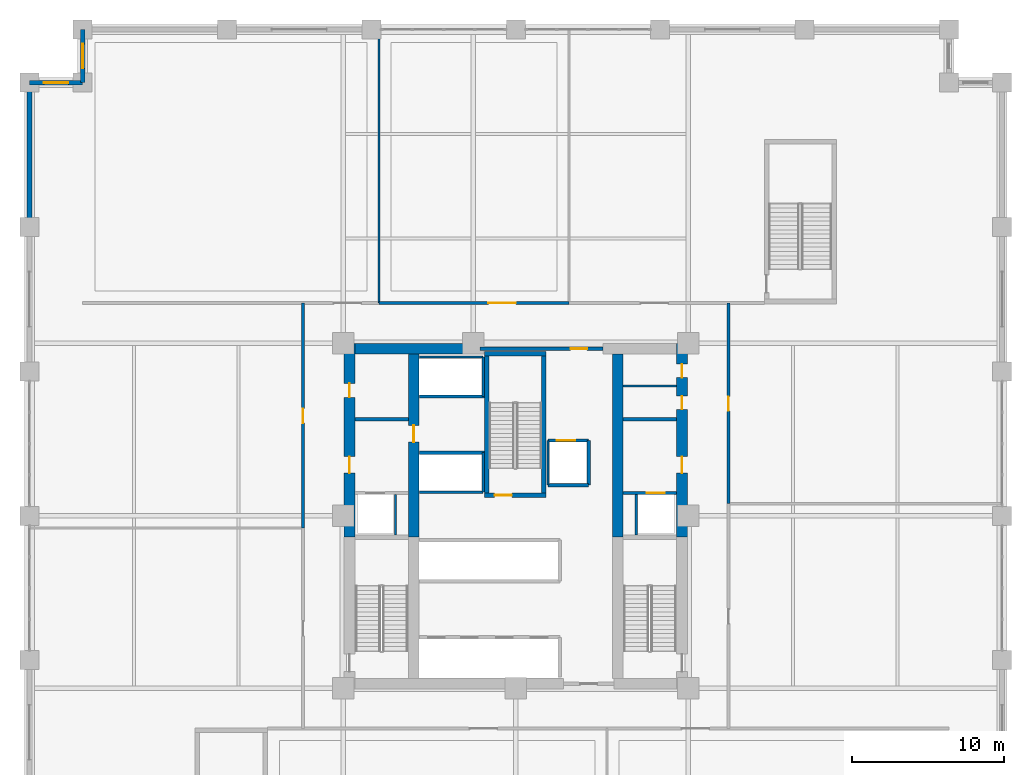
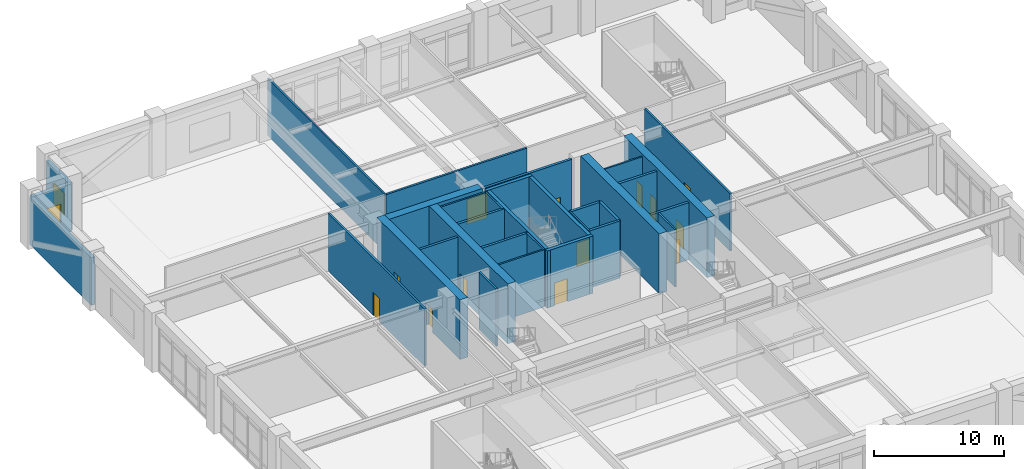
# One storey, part 13 of 21: 33 walls, 13 doors, 2 windows, 15 openings.
"""IFC4 building model written with IfcOpenShell, lengths in metres."""

from ifc_helpers import new_model, si_unit, direction, frame, frame_2d, origin, place, context, subcontext, project, spatial, rectangle, extrude, material, layer, layer_set, type_object, element, fill, save


model = new_model("IFC4")

# Units and contexts
model_context = context("Model", 3, precision=1e-05, world=origin(), true_north=direction((0.0, 1.0)))
body_context = subcontext(model_context, "Body", "Model", "MODEL_VIEW")
ifc_project = project(units=[si_unit("LENGTHUNIT", "METRE"), si_unit("AREAUNIT", "SQUARE_METRE"), si_unit("VOLUMEUNIT", "CUBIC_METRE"), si_unit("PLANEANGLEUNIT", "RADIAN"), si_unit("MASSUNIT", "GRAM", prefix="KILO")], contexts=[model_context])

# Site, building, storey
site_placement = place(None, origin())
site = spatial("IfcSite", under=ifc_project, at=site_placement, CompositionType="ELEMENT")
building_placement = place(site_placement, origin())
building = spatial("IfcBuilding", under=site, at=building_placement, Name="Nhamokura Convention Tower", CompositionType="ELEMENT")
storey_placement = place(building_placement, frame((0.0, 0.0, 6.64990234375)))
storey = spatial("IfcBuildingStorey", under=building, at=storey_placement, Name="L01", CompositionType="ELEMENT", Elevation=6.64990234375)

# Walls
ifc_material_1 = material(Name="Moisture-resistant tile-backer partition", Category="masonry")
ifc_layer_1 = layer(ifc_material_1, 0.139892578125)
ifc_layer_set_1 = layer_set([ifc_layer_1], Name="BathroomWetWall_140")
wall_type_1 = type_object("IfcWallType", Name="BathroomWetWall_140", PredefinedType="STANDARD", material=ifc_layer_set_1)
wall_1_placement = place(storey_placement, frame((39.06005859375, 40.550048828125, 0.0), z_axis=(0.0, 0.0, 1.0), x_axis=(1.0, 0.0, 0.0)))
element("IfcWall", 1, at=wall_1_placement, inside=storey, type_object=wall_type_1, Name="L01 Wall INT-L01-CWNE", PredefinedType="STANDARD", context=body_context, shape_type="SweptSolid", body=[
    extrude(rectangle(XDim=3.530029296875, YDim=0.139892578125, at=frame_2d((1.76513671875, 0.0))), origin(), (0.0, 0.0, 1.0), 5.360107421875),
])
ifc_material_2 = material(Name="Bronze-pigmented precast concrete C45/55", Category="concrete")
ifc_layer_2 = layer(ifc_material_2, 0.320068359375)
ifc_layer_set_2 = layer_set([ifc_layer_2], Name="BronzePrecastSpandrel_320")
wall_type_2 = type_object("IfcWallType", Name="BronzePrecastSpandrel_320", PredefinedType="USERDEFINED", material=ifc_layer_set_2)
wall_2_placement = place(storey_placement, frame((0.0, 51.0, 0.0), z_axis=(0.0, 0.0, 1.0), x_axis=(0.0, 1.0, 0.0)))
element("IfcWall", 2, at=wall_2_placement, inside=storey, type_object=wall_type_2, Name="L01 Braced-Bay Precast Wall WEST 5", ObjectType="SPANDREL_WALL", PredefinedType="USERDEFINED", context=body_context, shape_type="SweptSolid", body=[
    extrude(rectangle(XDim=9.5, YDim=0.320068359375, at=frame_2d((4.75, 0.0))), origin(), (0.0, 0.0, 1.0), 4.460205078125),
])

# Wall, opening, window
wall_3_placement = place(storey_placement, frame((3.5, 60.5, 0.0), z_axis=(0.0, 0.0, 1.0), x_axis=(0.0, 1.0, 0.0)))
wall_3 = element("IfcWall", 3, at=wall_3_placement, inside=storey, type_object=wall_type_2, Name="L01 Notched Corner Wall NW1", ObjectType="SPANDREL_WALL", PredefinedType="USERDEFINED", context=body_context, shape_type="SweptSolid", body=[
    extrude(rectangle(XDim=3.5, YDim=0.320068359375, at=frame_2d((1.75, 0.0))), origin(), (0.0, 0.0, 1.0), 4.460205078125),
])
opening_1_placement = place(wall_3_placement, frame((0.949951171875, 0.0, 0.85009765625)))
opening_1 = element("IfcOpeningElement", 4, at=opening_1_placement, cuts=wall_3, Name="Opening W-11", PredefinedType="OPENING", context=body_context, shape_type="SweptSolid", body=[
    extrude(rectangle(XDim=1.60009765625, YDim=2.050048828125, at=frame_2d((0.800048828125, 1.02490234375))), frame((0.0, 0.169921875, 0.0), z_axis=(0.0, -1.0, 0.0), x_axis=(1.0, 0.0, 0.0)), (0.0, 0.0, 1.0), 0.340087890625),
])
ifc_material_3 = material(Name="Solar-control bronze low-E double glass", Category="glass")
window_type = type_object("IfcWindowType", Name="NotchCornerWindow_1600", PartitioningType="SINGLE_PANEL", PredefinedType="WINDOW", material=ifc_material_3)
window_1_placement = place(opening_1_placement, origin())
window_1 = element("IfcWindow", 5, at=window_1_placement, inside=storey, type_object=window_type, Name="L01 Notched Corner Window NW1", OverallHeight=2.050048828125, OverallWidth=1.60009765625, PartitioningType="SINGLE_PANEL", PredefinedType="WINDOW", context=body_context, shape_type="SweptSolid", body=[
    extrude(rectangle(XDim=1.60009765625, YDim=2.050048828125, at=frame_2d((0.800048828125, 1.02490234375))), frame((0.0, 0.030029296875, 0.0), z_axis=(0.0, -1.0, 0.0), x_axis=(1.0, 0.0, 0.0)), (0.0, 0.0, 1.0), 0.06005859375),
])
fill(opening_1, window_1)

wall_4_placement = place(storey_placement, frame((0.0, 60.5, 0.0), z_axis=(0.0, 0.0, 1.0), x_axis=(1.0, 0.0, 0.0)))
wall_4 = element("IfcWall", 6, at=wall_4_placement, inside=storey, type_object=wall_type_2, Name="L01 Notched Corner Wall NW2", ObjectType="SPANDREL_WALL", PredefinedType="USERDEFINED", context=body_context, shape_type="SweptSolid", body=[
    extrude(rectangle(XDim=3.5, YDim=0.320068359375, at=frame_2d((1.75, 0.0))), origin(), (0.0, 0.0, 1.0), 4.460205078125),
])
opening_2_placement = place(wall_4_placement, frame((0.949951171875, 0.0, 0.85009765625)))
opening_2 = element("IfcOpeningElement", 7, at=opening_2_placement, cuts=wall_4, Name="Opening W-11", PredefinedType="OPENING", context=body_context, shape_type="SweptSolid", body=[
    extrude(rectangle(XDim=1.60009765625, YDim=2.050048828125, at=frame_2d((0.800048828125, 1.02490234375))), frame((0.0, 0.169921875, 0.0), z_axis=(0.0, -1.0, 0.0), x_axis=(1.0, 0.0, 0.0)), (0.0, 0.0, 1.0), 0.340087890625),
])
window_2_placement = place(opening_2_placement, origin())
window_2 = element("IfcWindow", 8, at=window_2_placement, inside=storey, type_object=window_type, Name="L01 Notched Corner Window NW2", OverallHeight=2.050048828125, OverallWidth=1.60009765625, PartitioningType="SINGLE_PANEL", PredefinedType="WINDOW", context=body_context, shape_type="SweptSolid", body=[
    extrude(rectangle(XDim=1.60009765625, YDim=2.050048828125, at=frame_2d((0.800048828125, 1.02490234375))), frame((0.0, 0.030029296875, 0.0), z_axis=(0.0, -1.0, 0.0), x_axis=(1.0, 0.0, 0.0)), (0.0, 0.0, 1.0), 0.06005859375),
])
fill(opening_2, window_2)

# Wall, openings, doors
ifc_material_4 = material(Name="Concrete C70/85", Category="concrete")
ifc_layer_3 = layer(ifc_material_4, 0.699951171875)
ifc_layer_set_3 = layer_set([ifc_layer_3], Name="CoreShearWall_700")
wall_type_3 = type_object("IfcWallType", Name="CoreShearWall_700", PredefinedType="SHEAR", material=ifc_layer_set_3)
wall_5_placement = place(storey_placement, frame((21.06005859375, 30.60009765625, 0.0), z_axis=(0.0, 0.0, 1.0), x_axis=(0.0, 1.0, 0.0)))
wall_5 = element("IfcWall", 9, at=wall_5_placement, inside=storey, type_object=wall_type_3, Name="L01 Core Shear Wall CW-WN", PredefinedType="SHEAR", context=body_context, shape_type="SweptSolid", body=[
    extrude(rectangle(XDim=12.75, YDim=0.699951171875, at=frame_2d((6.375, 0.0))), origin(), (0.0, 0.0, 1.0), 5.60009765625),
])
opening_3_placement = place(wall_5_placement, frame((4.199951171875, 0.0, 0.0)))
opening_3 = element("IfcOpeningElement", 10, at=opening_3_placement, cuts=wall_5, Name="Opening D-05", PredefinedType="OPENING", context=body_context, shape_type="SweptSolid", body=[
    extrude(rectangle(XDim=1.10009765625, YDim=2.14990234375, at=frame_2d((0.550048828125, 1.074951171875))), frame((0.0, 0.35986328125, 0.0), z_axis=(0.0, -1.0, 0.0), x_axis=(1.0, 0.0, 0.0)), (0.0, 0.0, 1.0), 0.719970703125),
])
opening_4_placement = place(wall_5_placement, frame((9.199951171875, 0.0, 0.0)))
opening_4 = element("IfcOpeningElement", 11, at=opening_4_placement, cuts=wall_5, Name="Opening D-10", PredefinedType="OPENING", context=body_context, shape_type="SweptSolid", body=[
    extrude(rectangle(XDim=0.919921875, YDim=2.10009765625, at=frame_2d((0.4599609375, 1.050048828125))), frame((0.0, 0.35986328125, 0.0), z_axis=(0.0, -1.0, 0.0), x_axis=(1.0, 0.0, 0.0)), (0.0, 0.0, 1.0), 0.719970703125),
])
ifc_material_5 = material(Name="Solid oak hardwood", Category="wood")
door_type_1 = type_object("IfcDoorType", Name="AccessibleWCDoor_920", OperationType="NOTDEFINED", PredefinedType="DOOR", material=ifc_material_5)
door_1_placement = place(opening_4_placement, origin())
door_1 = element("IfcDoor", 12, at=door_1_placement, inside=storey, type_object=door_type_1, Name="L01 Core Door INT-L01-D-AWC", OperationType="SINGLE_SWING_LEFT", OverallHeight=2.10009765625, OverallWidth=0.919921875, PredefinedType="DOOR", context=body_context, shape_type="SweptSolid", body=[
    extrude(rectangle(XDim=0.919921875, YDim=2.10009765625, at=frame_2d((0.4599609375, 1.050048828125))), frame((0.0, 0.02490234375, 0.0), z_axis=(0.0, -1.0, 0.0), x_axis=(1.0, 0.0, 0.0)), (0.0, 0.0, 1.0), 0.050048828125),
])
fill(opening_4, door_1)
ifc_material_6 = material(Name="Fire-rated steel door", Category="steel")
door_type_2 = type_object("IfcDoorType", Name="FireLobbyDoor_1100", OperationType="NOTDEFINED", PredefinedType="DOOR", material=ifc_material_6)
door_2_placement = place(opening_3_placement, origin())
door_2 = element("IfcDoor", 13, at=door_2_placement, inside=storey, type_object=door_type_2, Name="L01 Core Door INT-L01-D-FFLW", OperationType="SINGLE_SWING_RIGHT", OverallHeight=2.14990234375, OverallWidth=1.10009765625, PredefinedType="DOOR", context=body_context, shape_type="SweptSolid", body=[
    extrude(rectangle(XDim=1.10009765625, YDim=2.14990234375, at=frame_2d((0.550048828125, 1.074951171875))), frame((0.0, 0.02490234375, 0.0), z_axis=(0.0, -1.0, 0.0), x_axis=(1.0, 0.0, 0.0)), (0.0, 0.0, 1.0), 0.050048828125),
])
fill(opening_3, door_2)

wall_6_placement = place(storey_placement, frame((42.93994140625, 30.60009765625, 0.0), z_axis=(0.0, 0.0, 1.0), x_axis=(0.0, 1.0, 0.0)))
wall_6 = element("IfcWall", 14, at=wall_6_placement, inside=storey, type_object=wall_type_3, Name="L01 Core Shear Wall CW-EN", PredefinedType="SHEAR", context=body_context, shape_type="SweptSolid", body=[
    extrude(rectangle(XDim=12.75, YDim=0.699951171875, at=frame_2d((6.375, 0.0))), origin(), (0.0, 0.0, 1.0), 5.60009765625),
])
opening_5_placement = place(wall_6_placement, frame((4.199951171875, 0.0, 0.0)))
opening_5 = element("IfcOpeningElement", 15, at=opening_5_placement, cuts=wall_6, Name="Opening D-05", PredefinedType="OPENING", context=body_context, shape_type="SweptSolid", body=[
    extrude(rectangle(XDim=1.10009765625, YDim=2.14990234375, at=frame_2d((0.550048828125, 1.074951171875))), frame((0.0, 0.35986328125, 0.0), z_axis=(0.0, -1.0, 0.0), x_axis=(1.0, 0.0, 0.0)), (0.0, 0.0, 1.0), 0.719970703125),
])
opening_6_placement = place(wall_6_placement, frame((8.39990234375, 0.0, 0.0)))
opening_6 = element("IfcOpeningElement", 16, at=opening_6_placement, cuts=wall_6, Name="Opening D-11", PredefinedType="OPENING", context=body_context, shape_type="SweptSolid", body=[
    extrude(rectangle(XDim=0.8798828125, YDim=2.10009765625, at=frame_2d((0.43994140625, 1.050048828125))), frame((0.0, 0.35986328125, 0.0), z_axis=(0.0, -1.0, 0.0), x_axis=(1.0, 0.0, 0.0)), (0.0, 0.0, 1.0), 0.719970703125),
])
opening_7_placement = place(wall_6_placement, frame((10.5, 0.0, 0.0)))
opening_7 = element("IfcOpeningElement", 17, at=opening_7_placement, cuts=wall_6, Name="Opening D-11", PredefinedType="OPENING", context=body_context, shape_type="SweptSolid", body=[
    extrude(rectangle(XDim=0.8798828125, YDim=2.10009765625, at=frame_2d((0.43994140625, 1.050048828125))), frame((0.0, 0.35986328125, 0.0), z_axis=(0.0, -1.0, 0.0), x_axis=(1.0, 0.0, 0.0)), (0.0, 0.0, 1.0), 0.719970703125),
])
ifc_material_7 = material(Name="Solid oak hardwood", Category="wood")
door_type_3 = type_object("IfcDoorType", Name="BathroomDoor_880", OperationType="NOTDEFINED", PredefinedType="DOOR", material=ifc_material_7)
door_3_placement = place(opening_6_placement, origin())
door_3 = element("IfcDoor", 18, at=door_3_placement, inside=storey, type_object=door_type_3, Name="L01 Core Door INT-L01-D-MWC", OperationType="SINGLE_SWING_RIGHT", OverallHeight=2.10009765625, OverallWidth=0.8798828125, PredefinedType="DOOR", context=body_context, shape_type="SweptSolid", body=[
    extrude(rectangle(XDim=0.8798828125, YDim=2.10009765625, at=frame_2d((0.43994140625, 1.050048828125))), frame((0.0, 0.02490234375, 0.0), z_axis=(0.0, -1.0, 0.0), x_axis=(1.0, 0.0, 0.0)), (0.0, 0.0, 1.0), 0.050048828125),
])
fill(opening_6, door_3)
door_4_placement = place(opening_7_placement, origin())
door_4 = element("IfcDoor", 19, at=door_4_placement, inside=storey, type_object=door_type_3, Name="L01 Core Door INT-L01-D-FWC", OperationType="SINGLE_SWING_LEFT", OverallHeight=2.10009765625, OverallWidth=0.8798828125, PredefinedType="DOOR", context=body_context, shape_type="SweptSolid", body=[
    extrude(rectangle(XDim=0.8798828125, YDim=2.10009765625, at=frame_2d((0.43994140625, 1.050048828125))), frame((0.0, 0.02490234375, 0.0), z_axis=(0.0, -1.0, 0.0), x_axis=(1.0, 0.0, 0.0)), (0.0, 0.0, 1.0), 0.050048828125),
])
fill(opening_7, door_4)
door_5_placement = place(opening_5_placement, origin())
door_5 = element("IfcDoor", 20, at=door_5_placement, inside=storey, type_object=door_type_2, Name="L01 Core Door INT-L01-D-FFLE", OperationType="SINGLE_SWING_LEFT", OverallHeight=2.14990234375, OverallWidth=1.10009765625, PredefinedType="DOOR", context=body_context, shape_type="SweptSolid", body=[
    extrude(rectangle(XDim=1.10009765625, YDim=2.14990234375, at=frame_2d((0.550048828125, 1.074951171875))), frame((0.0, 0.02490234375, 0.0), z_axis=(0.0, -1.0, 0.0), x_axis=(1.0, 0.0, 0.0)), (0.0, 0.0, 1.0), 0.050048828125),
])
fill(opening_5, door_5)

# Wall
wall_7_placement = place(storey_placement, frame((21.409912109375, 43.0, 0.0), z_axis=(0.0, 0.0, 1.0), x_axis=(1.0, 0.0, 0.0)))
element("IfcWall", 21, at=wall_7_placement, inside=storey, type_object=wall_type_3, Name="L01 Core Shear Wall CW-N1", PredefinedType="SHEAR", context=body_context, shape_type="SweptSolid", body=[
    extrude(rectangle(XDim=8.239990234375, YDim=0.699951171875, at=frame_2d((4.1201171875, 0.0))), origin(), (0.0, 0.0, 1.0), 5.60009765625),
])

# Wall, opening, door
wall_8_placement = place(storey_placement, frame((25.2900390625, 30.60009765625, 0.0), z_axis=(0.0, 0.0, 1.0), x_axis=(0.0, 1.0, 0.0)))
wall_8 = element("IfcWall", 22, at=wall_8_placement, inside=storey, type_object=wall_type_3, Name="L01 Core Shear Wall CW-IWN", PredefinedType="SHEAR", context=body_context, shape_type="SweptSolid", body=[
    extrude(rectangle(XDim=12.0498046875, YDim=0.699951171875, at=frame_2d((6.02490234375, 0.0))), origin(), (0.0, 0.0, 1.0), 5.60009765625),
])
opening_8_placement = place(wall_8_placement, frame((6.25, 0.0, 0.0)))
opening_8 = element("IfcOpeningElement", 23, at=opening_8_placement, cuts=wall_8, Name="Opening D-05", PredefinedType="OPENING", context=body_context, shape_type="SweptSolid", body=[
    extrude(rectangle(XDim=1.10009765625, YDim=2.14990234375, at=frame_2d((0.550048828125, 1.074951171875))), frame((0.0, 0.35986328125, 0.0), z_axis=(0.0, -1.0, 0.0), x_axis=(1.0, 0.0, 0.0)), (0.0, 0.0, 1.0), 0.719970703125),
])
door_6_placement = place(opening_8_placement, origin())
door_6 = element("IfcDoor", 24, at=door_6_placement, inside=storey, type_object=door_type_2, Name="L01 Core Door INT-L01-D-B3LOB", OperationType="SINGLE_SWING_LEFT", OverallHeight=2.14990234375, OverallWidth=1.10009765625, PredefinedType="DOOR", context=body_context, shape_type="SweptSolid", body=[
    extrude(rectangle(XDim=1.10009765625, YDim=2.14990234375, at=frame_2d((0.550048828125, 1.074951171875))), frame((0.0, 0.02490234375, 0.0), z_axis=(0.0, -1.0, 0.0), x_axis=(1.0, 0.0, 0.0)), (0.0, 0.0, 1.0), 0.050048828125),
])
fill(opening_8, door_6)

# Wall
wall_9_placement = place(storey_placement, frame((38.7099609375, 30.60009765625, 0.0), z_axis=(0.0, 0.0, 1.0), x_axis=(0.0, 1.0, 0.0)))
element("IfcWall", 25, at=wall_9_placement, inside=storey, type_object=wall_type_3, Name="L01 Core Shear Wall CW-IEN", PredefinedType="SHEAR", context=body_context, shape_type="SweptSolid", body=[
    extrude(rectangle(XDim=12.0498046875, YDim=0.699951171875, at=frame_2d((6.02490234375, 0.0))), origin(), (0.0, 0.0, 1.0), 5.60009765625),
])

# Wall, opening, door
ifc_material_8 = material(Name="Fire-rated gypsum and masonry partition", Category="masonry")
ifc_layer_4 = layer(ifc_material_8, 0.179931640625)
ifc_layer_set_4 = layer_set([ifc_layer_4], Name="CorridorRatedWall_180")
wall_type_4 = type_object("IfcWallType", Name="CorridorRatedWall_180", PredefinedType="STANDARD", material=ifc_layer_set_4)
wall_10_placement = place(storey_placement, frame((23.0, 46.0, 0.0), z_axis=(0.0, 0.0, 1.0), x_axis=(1.0, 0.0, 0.0)))
wall_10 = element("IfcWall", 26, at=wall_10_placement, inside=storey, type_object=wall_type_4, Name="L01 Wall INT-L01-CW-N01", PredefinedType="STANDARD", context=body_context, shape_type="SweptSolid", body=[
    extrude(rectangle(XDim=12.5, YDim=0.179931640625, at=frame_2d((6.25, 0.0))), origin(), (0.0, 0.0, 1.0), 5.360107421875),
])
opening_9_placement = place(wall_10_placement, frame((7.199951171875, 0.0, 0.0)))
opening_9 = element("IfcOpeningElement", 27, at=opening_9_placement, cuts=wall_10, Name="Opening D-03", PredefinedType="OPENING", context=body_context, shape_type="SweptSolid", body=[
    extrude(rectangle(XDim=1.800048828125, YDim=2.35009765625, at=frame_2d((0.89990234375, 1.175048828125))), frame((0.0, 0.099853515625, 0.0), z_axis=(0.0, -1.0, 0.0), x_axis=(1.0, 0.0, 0.0)), (0.0, 0.0, 1.0), 0.199951171875),
])
ifc_material_9 = material(Name="Solid oak hardwood", Category="wood")
door_type_4 = type_object("IfcDoorType", Name="BallroomDoubleDoor_1800", OperationType="DOUBLE_DOOR_SINGLE_SWING", PredefinedType="DOOR", material=ifc_material_9)
door_7_placement = place(opening_9_placement, origin())
door_7 = element("IfcDoor", 28, at=door_7_placement, inside=storey, type_object=door_type_4, Name="L01 Pre-Function North Gallery N02 Door", OperationType="SINGLE_SWING_RIGHT", OverallHeight=2.35009765625, OverallWidth=1.800048828125, PredefinedType="DOOR", context=body_context, shape_type="SweptSolid", body=[
    extrude(rectangle(XDim=1.800048828125, YDim=2.35009765625, at=frame_2d((0.89990234375, 1.175048828125))), frame((0.0, 0.02490234375, 0.0), z_axis=(0.0, -1.0, 0.0), x_axis=(1.0, 0.0, 0.0)), (0.0, 0.0, 1.0), 0.050048828125),
])
fill(opening_9, door_7)

wall_11_placement = place(storey_placement, frame((18.0, 31.199951171875, 0.0), z_axis=(0.0, 0.0, 1.0), x_axis=(0.0, 1.0, 0.0)))
wall_11 = element("IfcWall", 29, at=wall_11_placement, inside=storey, type_object=wall_type_4, Name="L01 Wall INT-L01-CW-W01", PredefinedType="STANDARD", context=body_context, shape_type="SweptSolid", body=[
    extrude(rectangle(XDim=14.800048828125, YDim=0.179931640625, at=frame_2d((7.39990234375, 0.0))), origin(), (0.0, 0.0, 1.0), 5.360107421875),
])
opening_10_placement = place(wall_11_placement, frame((6.89990234375, 0.0, 0.0)))
opening_10 = element("IfcOpeningElement", 30, at=opening_10_placement, cuts=wall_11, Name="Opening D-09", PredefinedType="OPENING", context=body_context, shape_type="SweptSolid", body=[
    extrude(rectangle(XDim=0.949951171875, YDim=2.14990234375, at=frame_2d((0.47509765625, 1.074951171875))), frame((0.0, 0.099853515625, 0.0), z_axis=(0.0, -1.0, 0.0), x_axis=(1.0, 0.0, 0.0)), (0.0, 0.0, 1.0), 0.199951171875),
])
ifc_material_10 = material(Name="Solid oak hardwood", Category="wood")
door_type_5 = type_object("IfcDoorType", Name="MeetingRoomDoor_950", OperationType="NOTDEFINED", PredefinedType="DOOR", material=ifc_material_10)
door_8_placement = place(opening_10_placement, origin())
door_8 = element("IfcDoor", 31, at=door_8_placement, inside=storey, type_object=door_type_5, Name="L01 Meeting Room W02 Door", OperationType="SINGLE_SWING_RIGHT", OverallHeight=2.14990234375, OverallWidth=0.949951171875, PredefinedType="DOOR", context=body_context, shape_type="SweptSolid", body=[
    extrude(rectangle(XDim=0.949951171875, YDim=2.14990234375, at=frame_2d((0.47509765625, 1.074951171875))), frame((0.0, 0.02490234375, 0.0), z_axis=(0.0, -1.0, 0.0), x_axis=(1.0, 0.0, 0.0)), (0.0, 0.0, 1.0), 0.050048828125),
])
fill(opening_10, door_8)

wall_12_placement = place(storey_placement, frame((46.0, 32.800048828125, 0.0), z_axis=(0.0, 0.0, 1.0), x_axis=(0.0, 1.0, 0.0)))
wall_12 = element("IfcWall", 32, at=wall_12_placement, inside=storey, type_object=wall_type_4, Name="L01 Wall INT-L01-CW-E01", PredefinedType="STANDARD", context=body_context, shape_type="SweptSolid", body=[
    extrude(rectangle(XDim=13.199951171875, YDim=0.179931640625, at=frame_2d((6.60009765625, 0.0))), origin(), (0.0, 0.0, 1.0), 5.360107421875),
])
opening_11_placement = place(wall_12_placement, frame((6.10009765625, 0.0, 0.0)))
opening_11 = element("IfcOpeningElement", 33, at=opening_11_placement, cuts=wall_12, Name="Opening D-09", PredefinedType="OPENING", context=body_context, shape_type="SweptSolid", body=[
    extrude(rectangle(XDim=0.949951171875, YDim=2.14990234375, at=frame_2d((0.47509765625, 1.074951171875))), frame((0.0, 0.099853515625, 0.0), z_axis=(0.0, -1.0, 0.0), x_axis=(1.0, 0.0, 0.0)), (0.0, 0.0, 1.0), 0.199951171875),
])
door_9_placement = place(opening_11_placement, origin())
door_9 = element("IfcDoor", 34, at=door_9_placement, inside=storey, type_object=door_type_5, Name="L01 Private Office E02 Door", OperationType="SINGLE_SWING_RIGHT", OverallHeight=2.14990234375, OverallWidth=0.949951171875, PredefinedType="DOOR", context=body_context, shape_type="SweptSolid", body=[
    extrude(rectangle(XDim=0.949951171875, YDim=2.14990234375, at=frame_2d((0.47509765625, 1.074951171875))), frame((0.0, 0.02490234375, 0.0), z_axis=(0.0, -1.0, 0.0), x_axis=(1.0, 0.0, 0.0)), (0.0, 0.0, 1.0), 0.050048828125),
])
fill(opening_11, door_9)

ifc_material_11 = material(Name="Autoclaved concrete blockwork", Category="masonry")
ifc_layer_5 = layer(ifc_material_11, 0.219970703125)
ifc_layer_set_5 = layer_set([ifc_layer_5], Name="FireLobbyWall_220")
wall_type_5 = type_object("IfcWallType", Name="FireLobbyWall_220", PredefinedType="STANDARD", material=ifc_layer_set_5)
wall_13_placement = place(storey_placement, frame((39.06005859375, 33.5, 0.0), z_axis=(0.0, 0.0, 1.0), x_axis=(1.0, 0.0, 0.0)))
wall_13 = element("IfcWall", 35, at=wall_13_placement, inside=storey, type_object=wall_type_5, Name="L01 Wall INT-L01-FFE-S", PredefinedType="STANDARD", context=body_context, shape_type="SweptSolid", body=[
    extrude(rectangle(XDim=3.530029296875, YDim=0.219970703125, at=frame_2d((1.76513671875, 0.0))), origin(), (0.0, 0.0, 1.0), 5.360107421875),
])
opening_12_placement = place(wall_13_placement, frame((1.550048828125, 0.0, 0.0)))
opening_12 = element("IfcOpeningElement", 36, at=opening_12_placement, cuts=wall_13, Name="Opening LD-02", PredefinedType="OPENING", context=body_context, shape_type="SweptSolid", body=[
    extrude(rectangle(XDim=1.199951171875, YDim=2.199951171875, at=frame_2d((0.60009765625, 1.10009765625))), frame((0.0, 0.119873046875, 0.0), z_axis=(0.0, -1.0, 0.0), x_axis=(1.0, 0.0, 0.0)), (0.0, 0.0, 1.0), 0.239990234375),
])
ifc_material_12 = material(Name="Anodised bronze stainless steel", Category="steel")
door_type_6 = type_object("IfcDoorType", Name="LiftLandingDoor_FireService", OperationType="DOUBLE_DOOR_SLIDING", PredefinedType="DOOR", material=ifc_material_12)
door_10_placement = place(opening_12_placement, origin())
door_10 = element("IfcDoor", 37, at=door_10_placement, inside=storey, type_object=door_type_6, Name="L01 Firefighting Lift LF-02 Door", OperationType="DOUBLE_DOOR_SLIDING", OverallHeight=2.199951171875, OverallWidth=1.199951171875, PredefinedType="DOOR", context=body_context, shape_type="SweptSolid", body=[
    extrude(rectangle(XDim=1.199951171875, YDim=2.199951171875, at=frame_2d((0.60009765625, 1.10009765625))), frame((0.0, 0.02490234375, 0.0), z_axis=(0.0, -1.0, 0.0), x_axis=(1.0, 0.0, 0.0)), (0.0, 0.0, 1.0), 0.050048828125),
])
fill(opening_12, door_10)

# Walls
for number, where, z_axis, x_axis, name in (
    (38, (21.409912109375, 38.35009765625, 0.0), (0.0, 0.0, 1.0), (1.0, 0.0, 0.0), "L01 Wall INT-L01-FFW-N"),
    (39, (39.06005859375, 38.35009765625, 0.0), (0.0, 0.0, 1.0), (1.0, 0.0, 0.0), "L01 Wall INT-L01-FFE-N"),
):
    element("IfcWall", number, at=place(storey_placement, frame(where, z_axis=z_axis, x_axis=x_axis)), inside=storey, type_object=wall_type_5, Name=name, PredefinedType="STANDARD", context=body_context, shape_type="SweptSolid", body=[
        extrude(rectangle(XDim=3.530029296875, YDim=0.219970703125, at=frame_2d((1.76513671875, 0.0))), origin(), (0.0, 0.0, 1.0), 5.360107421875),
    ])
for number, where, z_axis, x_axis, name in (
    (40, (25.64990234375, 36.14990234375, 0.0), (0.0, 0.0, 1.0), (1.0, 0.0, 0.0), "L01 Wall INT-L01-B3S"),
    (41, (25.64990234375, 39.85009765625, 0.0), (0.0, 0.0, 1.0), (1.0, 0.0, 0.0), "L01 Wall INT-L01-B3N"),
):
    element("IfcWall", number, at=place(storey_placement, frame(where, z_axis=z_axis, x_axis=x_axis)), inside=storey, type_object=wall_type_5, Name=name, PredefinedType="STANDARD", context=body_context, shape_type="SweptSolid", body=[
        extrude(rectangle(XDim=4.300048828125, YDim=0.219970703125, at=frame_2d((2.14990234375, 0.0))), origin(), (0.0, 0.0, 1.0), 5.360107421875),
    ])

# Wall, opening, door
wall_14_placement = place(storey_placement, frame((29.64990234375, 43.0, 0.0), z_axis=(0.0, 0.0, 1.0), x_axis=(1.0, 0.0, 0.0)))
wall_14 = element("IfcWall", 42, at=wall_14_placement, inside=storey, type_object=wall_type_5, Name="L01 Wall INT-L01-CPORT-N", PredefinedType="STANDARD", context=body_context, shape_type="SweptSolid", body=[
    extrude(rectangle(XDim=8.10009765625, YDim=0.219970703125, at=frame_2d((4.050048828125, 0.0))), origin(), (0.0, 0.0, 1.0), 5.360107421875),
])
opening_13_placement = place(wall_14_placement, frame((5.949951171875, 0.0, 0.0)))
opening_13 = element("IfcOpeningElement", 43, at=opening_13_placement, cuts=wall_14, Name="Opening D-05", PredefinedType="OPENING", context=body_context, shape_type="SweptSolid", body=[
    extrude(rectangle(XDim=1.10009765625, YDim=2.14990234375, at=frame_2d((0.550048828125, 1.074951171875))), frame((0.0, 0.119873046875, 0.0), z_axis=(0.0, -1.0, 0.0), x_axis=(1.0, 0.0, 0.0)), (0.0, 0.0, 1.0), 0.239990234375),
])
door_11_placement = place(opening_13_placement, origin())
door_11 = element("IfcDoor", 44, at=door_11_placement, inside=storey, type_object=door_type_2, Name="L01 North Core Lobby Portal Door", OperationType="SINGLE_SWING_RIGHT", OverallHeight=2.14990234375, OverallWidth=1.10009765625, PredefinedType="DOOR", context=body_context, shape_type="SweptSolid", body=[
    extrude(rectangle(XDim=1.10009765625, YDim=2.14990234375, at=frame_2d((0.550048828125, 1.074951171875))), frame((0.0, 0.02490234375, 0.0), z_axis=(0.0, -1.0, 0.0), x_axis=(1.0, 0.0, 0.0)), (0.0, 0.0, 1.0), 0.050048828125),
])
fill(opening_13, door_11)

wall_15_placement = place(storey_placement, frame((34.1201171875, 36.949951171875, 0.0), z_axis=(0.0, 0.0, 1.0), x_axis=(1.0, 0.0, 0.0)))
wall_15 = element("IfcWall", 45, at=wall_15_placement, inside=storey, type_object=wall_type_5, Name="L01 Wall INT-L01-LSN", PredefinedType="STANDARD", context=body_context, shape_type="SweptSolid", body=[
    extrude(rectangle(XDim=2.679931640625, YDim=0.219970703125, at=frame_2d((1.33984375, 0.0))), origin(), (0.0, 0.0, 1.0), 5.360107421875),
])
opening_14_placement = place(wall_15_placement, frame((0.580078125, 0.0, 0.0)))
opening_14 = element("IfcOpeningElement", 46, at=opening_14_placement, cuts=wall_15, Name="Opening LD-02", PredefinedType="OPENING", context=body_context, shape_type="SweptSolid", body=[
    extrude(rectangle(XDim=1.199951171875, YDim=2.199951171875, at=frame_2d((0.60009765625, 1.10009765625))), frame((0.0, 0.119873046875, 0.0), z_axis=(0.0, -1.0, 0.0), x_axis=(1.0, 0.0, 0.0)), (0.0, 0.0, 1.0), 0.239990234375),
])
door_12_placement = place(opening_14_placement, origin())
door_12 = element("IfcDoor", 47, at=door_12_placement, inside=storey, type_object=door_type_6, Name="L01 Service Lift LS-01 Door", OperationType="DOUBLE_DOOR_SLIDING", OverallHeight=2.199951171875, OverallWidth=1.199951171875, PredefinedType="DOOR", context=body_context, shape_type="SweptSolid", body=[
    extrude(rectangle(XDim=1.199951171875, YDim=2.199951171875, at=frame_2d((0.60009765625, 1.10009765625))), frame((0.0, 0.02490234375, 0.0), z_axis=(0.0, -1.0, 0.0), x_axis=(1.0, 0.0, 0.0)), (0.0, 0.0, 1.0), 0.050048828125),
])
fill(opening_14, door_12)

# Walls
wall_16_placement = place(storey_placement, frame((36.800048828125, 34.02001953125, 0.0), z_axis=(0.0, 0.0, 1.0), x_axis=(0.0, 1.0, 0.0)))
element("IfcWall", 48, at=wall_16_placement, inside=storey, type_object=wall_type_5, Name="L01 Wall INT-L01-LSE", PredefinedType="STANDARD", context=body_context, shape_type="SweptSolid", body=[
    extrude(rectangle(XDim=2.929931640625, YDim=0.219970703125, at=frame_2d((1.46484375, 0.0))), origin(), (0.0, 0.0, 1.0), 5.360107421875),
])
wall_17_placement = place(storey_placement, frame((34.1201171875, 34.02001953125, 0.0), z_axis=(0.0, 0.0, 1.0), x_axis=(1.0, 0.0, 0.0)))
element("IfcWall", 49, at=wall_17_placement, inside=storey, type_object=wall_type_5, Name="L01 Wall INT-L01-LSS", PredefinedType="STANDARD", context=body_context, shape_type="SweptSolid", body=[
    extrude(rectangle(XDim=2.679931640625, YDim=0.219970703125, at=frame_2d((1.33984375, 0.0))), origin(), (0.0, 0.0, 1.0), 5.360107421875),
])
ifc_material_13 = material(Name="Acoustic gypsum stud partition", Category="masonry")
ifc_layer_6 = layer(ifc_material_13, 0.14990234375)
ifc_layer_set_6 = layer_set([ifc_layer_6], Name="InteriorPartition_150")
wall_type_6 = type_object("IfcWallType", Name="InteriorPartition_150", PredefinedType="STANDARD", material=ifc_layer_set_6)
for number, where, z_axis, x_axis, name in (
    (50, (24.080078125, 30.75, 0.0), (0.0, 0.0, 1.0), (0.0, 1.0, 0.0), "L01 Wall INT-L01-FF1-E"),
    (51, (39.919921875, 30.75, 0.0), (0.0, 0.0, 1.0), (0.0, 1.0, 0.0), "L01 Wall INT-L01-FF2-W"),
):
    element("IfcWall", number, at=place(storey_placement, frame(where, z_axis=z_axis, x_axis=x_axis)), inside=storey, type_object=wall_type_6, Name=name, PredefinedType="STANDARD", context=body_context, shape_type="SweptSolid", body=[
        extrude(rectangle(XDim=2.64990234375, YDim=0.14990234375, at=frame_2d((1.324951171875, 0.0))), origin(), (0.0, 0.0, 1.0), 5.360107421875),
    ])
wall_18_placement = place(storey_placement, frame((25.64990234375, 33.550048828125, 0.0), z_axis=(0.0, 0.0, 1.0), x_axis=(1.0, 0.0, 0.0)))
element("IfcWall", 52, at=wall_18_placement, inside=storey, type_object=wall_type_6, Name="L01 Wall INT-L01-B3A-S", PredefinedType="STANDARD", context=body_context, shape_type="SweptSolid", body=[
    extrude(rectangle(XDim=4.2001953125, YDim=0.14990234375, at=frame_2d((2.10009765625, 0.0))), origin(), (0.0, 0.0, 1.0), 5.360107421875),
])
wall_19_placement = place(storey_placement, frame((29.85009765625, 33.550048828125, 0.0), z_axis=(0.0, 0.0, 1.0), x_axis=(0.0, 1.0, 0.0)))
element("IfcWall", 53, at=wall_19_placement, inside=storey, type_object=wall_type_6, Name="L01 Wall INT-L01-B3A-E", PredefinedType="STANDARD", context=body_context, shape_type="SweptSolid", body=[
    extrude(rectangle(XDim=2.599853515625, YDim=0.14990234375, at=frame_2d((1.2998046875, 0.0))), origin(), (0.0, 0.0, 1.0), 5.360107421875),
])
wall_20_placement = place(storey_placement, frame((25.64990234375, 42.449951171875, 0.0), z_axis=(0.0, 0.0, 1.0), x_axis=(1.0, 0.0, 0.0)))
element("IfcWall", 54, at=wall_20_placement, inside=storey, type_object=wall_type_6, Name="L01 Wall INT-L01-B3B-N", PredefinedType="STANDARD", context=body_context, shape_type="SweptSolid", body=[
    extrude(rectangle(XDim=4.2001953125, YDim=0.14990234375, at=frame_2d((2.10009765625, 0.0))), origin(), (0.0, 0.0, 1.0), 5.360107421875),
])
wall_21_placement = place(storey_placement, frame((29.85009765625, 39.85009765625, 0.0), z_axis=(0.0, 0.0, 1.0), x_axis=(0.0, 1.0, 0.0)))
element("IfcWall", 55, at=wall_21_placement, inside=storey, type_object=wall_type_6, Name="L01 Wall INT-L01-B3B-E", PredefinedType="STANDARD", context=body_context, shape_type="SweptSolid", body=[
    extrude(rectangle(XDim=2.599853515625, YDim=0.14990234375, at=frame_2d((1.2998046875, 0.0))), origin(), (0.0, 0.0, 1.0), 5.360107421875),
])
wall_22_placement = place(storey_placement, frame((34.1201171875, 34.02001953125, 0.0), z_axis=(0.0, 0.0, 1.0), x_axis=(0.0, 1.0, 0.0)))
element("IfcWall", 56, at=wall_22_placement, inside=storey, type_object=wall_type_6, Name="L01 Wall INT-L01-LSW", PredefinedType="STANDARD", context=body_context, shape_type="SweptSolid", body=[
    extrude(rectangle(XDim=2.929931640625, YDim=0.14990234375, at=frame_2d((1.46484375, 0.0))), origin(), (0.0, 0.0, 1.0), 5.360107421875),
])
wall_23_placement = place(storey_placement, frame((23.0, 46.0, 0.0), z_axis=(0.0, 0.0, 1.0), x_axis=(0.0, 1.0, 0.0)))
element("IfcWall", 57, at=wall_23_placement, inside=storey, type_object=wall_type_6, Name="L01 Wall INT-L01-RW-N01", PredefinedType="STANDARD", context=body_context, shape_type="SweptSolid", body=[
    extrude(rectangle(XDim=17.93994140625, YDim=0.14990234375, at=frame_2d((8.969970703125, 0.0))), origin(), (0.0, 0.0, 1.0), 5.360107421875),
])
ifc_material_14 = material(Name="Concrete C50/60", Category="concrete")
ifc_layer_7 = layer(ifc_material_14, 0.300048828125)
ifc_layer_set_7 = layer_set([ifc_layer_7], Name="ShaftEnclosureWall_300")
wall_type_7 = type_object("IfcWallType", Name="ShaftEnclosureWall_300", PredefinedType="SHEAR", material=ifc_layer_set_7)
for number, where, z_axis, x_axis, name in (
    (58, (30.10009765625, 33.199951171875, 0.0), (0.0, 0.0, 1.0), (0.0, 1.0, 0.0), "L01 Wall INT-L01-ST03W"),
    (59, (33.85009765625, 33.199951171875, 0.0), (0.0, 0.0, 1.0), (0.0, 1.0, 0.0), "L01 Wall INT-L01-ST03E"),
):
    element("IfcWall", number, at=place(storey_placement, frame(where, z_axis=z_axis, x_axis=x_axis)), inside=storey, type_object=wall_type_7, Name=name, PredefinedType="SHEAR", context=body_context, shape_type="SweptSolid", body=[
        extrude(rectangle(XDim=9.60009765625, YDim=0.300048828125, at=frame_2d((4.800048828125, 0.0))), origin(), (0.0, 0.0, 1.0), 5.360107421875),
    ])

# Wall, opening, door
wall_24_placement = place(storey_placement, frame((29.949951171875, 33.35009765625, 0.0), z_axis=(0.0, 0.0, 1.0), x_axis=(1.0, 0.0, 0.0)))
wall_24 = element("IfcWall", 60, at=wall_24_placement, inside=storey, type_object=wall_type_7, Name="L01 Wall INT-L01-ST03S", PredefinedType="SHEAR", context=body_context, shape_type="SweptSolid", body=[
    extrude(rectangle(XDim=4.050048828125, YDim=0.300048828125, at=frame_2d((2.02490234375, 0.0))), origin(), (0.0, 0.0, 1.0), 5.360107421875),
])
opening_15_placement = place(wall_24_placement, frame((0.64990234375, 0.0, 0.0)))
opening_15 = element("IfcOpeningElement", 61, at=opening_15_placement, cuts=wall_24, Name="Opening D-04", PredefinedType="OPENING", context=body_context, shape_type="SweptSolid", body=[
    extrude(rectangle(XDim=1.14990234375, YDim=2.14990234375, at=frame_2d((0.574951171875, 1.074951171875))), frame((0.0, 0.159912109375, 0.0), z_axis=(0.0, -1.0, 0.0), x_axis=(1.0, 0.0, 0.0)), (0.0, 0.0, 1.0), 0.320068359375),
])
ifc_material_15 = material(Name="Fire-rated steel door", Category="steel")
door_type_7 = type_object("IfcDoorType", Name="StairSmokeDoor_1150", OperationType="NOTDEFINED", PredefinedType="DOOR", material=ifc_material_15)
door_13_placement = place(opening_15_placement, origin())
door_13 = element("IfcDoor", 62, at=door_13_placement, inside=storey, type_object=door_type_7, Name="L01 Stair ST-03 Smoke Door", OperationType="SINGLE_SWING_LEFT", OverallHeight=2.14990234375, OverallWidth=1.14990234375, PredefinedType="DOOR", context=body_context, shape_type="SweptSolid", body=[
    extrude(rectangle(XDim=1.14990234375, YDim=2.14990234375, at=frame_2d((0.574951171875, 1.074951171875))), frame((0.0, 0.02490234375, 0.0), z_axis=(0.0, -1.0, 0.0), x_axis=(1.0, 0.0, 0.0)), (0.0, 0.0, 1.0), 0.050048828125),
])
fill(opening_15, door_13)

# Wall
wall_25_placement = place(storey_placement, frame((29.949951171875, 42.64990234375, 0.0), z_axis=(0.0, 0.0, 1.0), x_axis=(1.0, 0.0, 0.0)))
element("IfcWall", 63, at=wall_25_placement, inside=storey, type_object=wall_type_7, Name="L01 Wall INT-L01-ST03N", PredefinedType="SHEAR", context=body_context, shape_type="SweptSolid", body=[
    extrude(rectangle(XDim=4.050048828125, YDim=0.300048828125, at=frame_2d((2.02490234375, 0.0))), origin(), (0.0, 0.0, 1.0), 5.360107421875),
])

save(model, "model.ifc")
